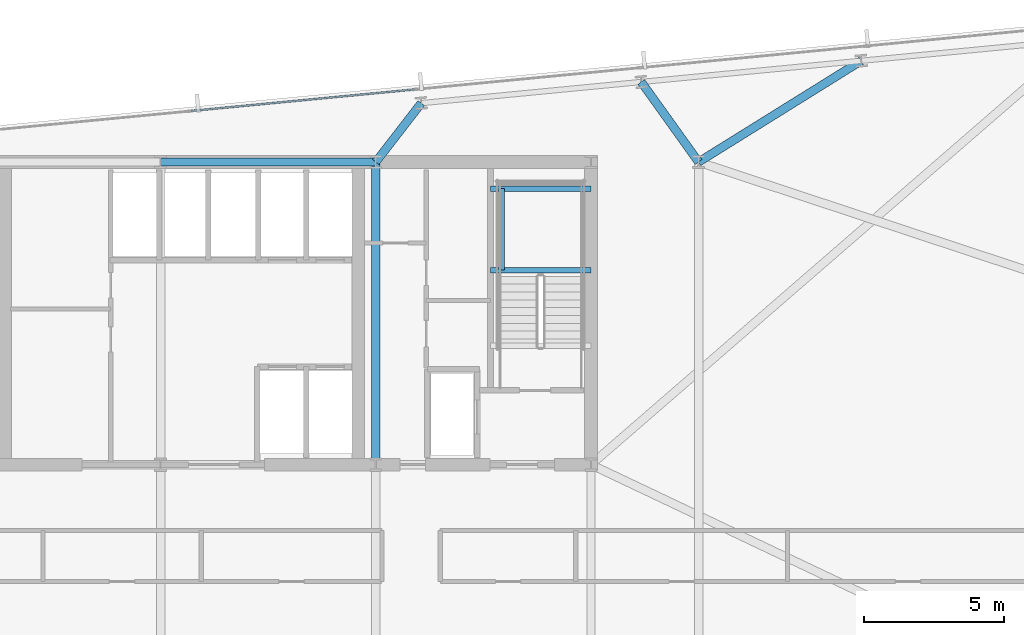
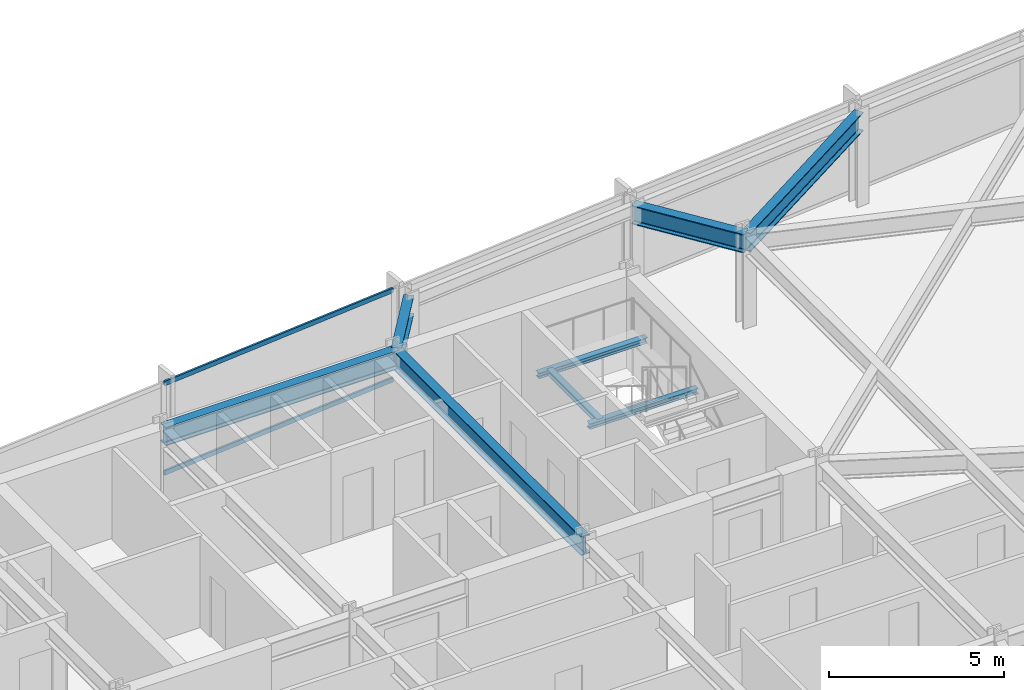
# One storey, part 20 of 32: 8 beams, 2 members, 1 element without a shape of its own.
"""IFC4 building model written with IfcOpenShell, lengths in metres."""

import ifcopenshell
import ifcopenshell.guid

model = None  # the IFC model being written
_history = None  # IfcOwnerHistory: only IFC2X3 demands one
_inside = {}  # id of a spatial element -> (the spatial element, [elements in it])
_under = {}  # id of a project, library or spatial element -> (it, [spatial elements below it])
_declared = {}  # id of a project -> (the project, [libraries it declares])
_typed = {}  # id of a type object -> (the type object, [elements of that type])
_made_of = {}  # id of a material, layer set ... -> (it, [elements and type objects made of it])


def new_model(schema):
    """Start an empty IFC model of exactly this schema.

    Asked for "IFC4X3", IfcOpenShell would pick the latest addendum, in which some entities
    have other attributes; the version numbers below select the first issue.
    IFC2X3 requires an IfcOwnerHistory on every rooted entity: one is made here for all.
    """
    global model, _history
    if schema == "IFC4X3":
        model = ifcopenshell.file(schema_version=(4, 3, 0, 0))
    else:
        model = ifcopenshell.file(schema=schema)
    _inside.clear()
    _under.clear()
    _declared.clear()
    _typed.clear()
    _made_of.clear()
    _history = None
    if model.schema == "IFC2X3":
        org = make("IfcOrganization", Name="unknown")
        user = make(
            "IfcPersonAndOrganization",
            ThePerson=make("IfcPerson", FamilyName="unknown"),
            TheOrganization=org,
        )
        app = make(
            "IfcApplication",
            ApplicationDeveloper=org,
            Version="unknown",
            ApplicationFullName="unknown",
            ApplicationIdentifier="unknown",
        )
        _history = make(
            "IfcOwnerHistory",
            OwningUser=user,
            OwningApplication=app,
            ChangeAction="ADDED",
            CreationDate=0,
        )
    return model


def make(cls, **values):
    """One entity of the class cls with the attributes given. An attribute that is None is left unset."""
    return model.create_entity(
        cls, **{name: value for name, value in values.items() if value is not None}
    )


def rooted(cls, **values):
    """An entity with a GlobalId (a new one), such as an element, a storey or a relation."""
    return make(cls, GlobalId=ifcopenshell.guid.new(), OwnerHistory=_history, **values)


def si_unit(unit_type, name, prefix=None):
    """IfcSIUnit, for example si_unit("LENGTHUNIT", "METRE", prefix="MILLI")."""
    return make("IfcSIUnit", UnitType=unit_type, Prefix=prefix, Name=name)


def assignment(units):
    """IfcUnitAssignment: the units of a project."""
    return None if units is None else make("IfcUnitAssignment", Units=units)


def point(xyz):
    """IfcCartesianPoint."""
    return None if xyz is None else make("IfcCartesianPoint", Coordinates=xyz)


def direction(xyz):
    """IfcDirection."""
    return None if xyz is None else make("IfcDirection", DirectionRatios=xyz)


def frame(location, z_axis=None, x_axis=None):
    """IfcAxis2Placement3D, a coordinate frame: its origin and axes. An axis left out is left unset."""
    return make(
        "IfcAxis2Placement3D",
        Location=point(location),
        Axis=direction(z_axis),
        RefDirection=direction(x_axis),
    )


def frame_2d(location, x_axis=None):
    """IfcAxis2Placement2D, a coordinate frame in the plane: its origin and x axis."""
    return make(
        "IfcAxis2Placement2D", Location=point(location), RefDirection=direction(x_axis)
    )


def origin():
    """The frame at (0, 0, 0) with its axes left unset."""
    return frame((0.0, 0.0, 0.0))


def origin_2d():
    """The frame at (0, 0) in the plane with its x axis left unset."""
    return frame_2d((0.0, 0.0))


def place(relative_to, where):
    """IfcLocalPlacement: puts the frame where relative to a parent placement (None: the world)."""
    return make(
        "IfcLocalPlacement", PlacementRelTo=relative_to, RelativePlacement=where
    )


def context(
    kind, dimensions, precision=None, world=None, true_north=None, identifier=None
):
    """IfcGeometricRepresentationContext, for example the 3D "Model" context."""
    return make(
        "IfcGeometricRepresentationContext",
        ContextIdentifier=identifier,
        ContextType=kind,
        CoordinateSpaceDimension=dimensions,
        Precision=precision,
        WorldCoordinateSystem=world,
        TrueNorth=true_north,
    )


def subcontext(parent, identifier, kind, view, scale=None):
    """IfcGeometricRepresentationSubContext, for example "Body" below "Model"."""
    return make(
        "IfcGeometricRepresentationSubContext",
        ContextIdentifier=identifier,
        ContextType=kind,
        ParentContext=parent,
        TargetScale=scale,
        TargetView=view,
    )


def project(units=None, contexts=None):
    """IfcProject with its units and contexts."""
    return rooted(
        "IfcProject",
        Name="project",
        RepresentationContexts=contexts,
        UnitsInContext=assignment(units),
    )


def spatial(cls, under=None, at=None, **own):
    """A site, building, storey or space (cls), placed at a placement, below another one or the project."""
    s = rooted(cls, ObjectPlacement=at, **own)
    if under is not None:
        _under.setdefault(under.id(), (under, []))[1].append(s)
    return s


def profile(cls, at=None, kind="AREA", **sizes):
    """A parametric profile (cls). Its sizes go by their IFC names, for example OverallWidth=200.0."""
    return make(cls, ProfileType=kind, Position=at, **sizes)


def hollow_rectangle(**sizes):
    """IfcRectangleHollowProfileDef."""
    return profile("IfcRectangleHollowProfileDef", **sizes)


def i_section(**sizes):
    """IfcIShapeProfileDef."""
    return profile("IfcIShapeProfileDef", **sizes)


def extrude(swept, where, along, depth):
    """IfcExtrudedAreaSolid: the profile swept, set in the frame where, extruded along a direction by depth."""
    return make(
        "IfcExtrudedAreaSolid",
        SweptArea=swept,
        Position=where,
        ExtrudedDirection=direction(along),
        Depth=depth,
    )


def shape(context_of_items, identifier, shape_type, items):
    """IfcShapeRepresentation: the items that make up one representation, for example the "Body"."""
    return make(
        "IfcShapeRepresentation",
        ContextOfItems=context_of_items,
        RepresentationIdentifier=identifier,
        RepresentationType=shape_type,
        Items=items,
    )


def material(Name=None, Category=None):
    """IfcMaterial."""
    return make("IfcMaterial", Name=Name, Category=Category)


def material_profile(
    of_material, cross_section, Name=None, Category=None, Priority=None
):
    """IfcMaterialProfile: a cross section and its material."""
    return make(
        "IfcMaterialProfile",
        Name=Name,
        Material=of_material,
        Profile=cross_section,
        Priority=Priority,
        Category=Category,
    )


def profile_set(profiles, Name=None, composite=None):
    """IfcMaterialProfileSet."""
    return make(
        "IfcMaterialProfileSet",
        Name=Name,
        MaterialProfiles=profiles,
        CompositeProfile=composite,
    )


def made_of(thing, what):
    """Note that an element or type object is made of a material, layer set ...; save() writes the relation."""
    if what is not None:
        _made_of.setdefault(what.id(), (what, []))[1].append(thing)
    return thing


def type_object(cls, material=None, **own):
    """A type object (cls), such as IfcWallType, which elements share."""
    return made_of(rooted(cls, **own), material)


def element(
    cls,
    number,
    at=None,
    inside=None,
    cuts=None,
    type_object=None,
    material=None,
    context=None,
    identifier="Body",
    shape_type=None,
    held_by="IfcProductDefinitionShape",
    body=None,
    shapes=None,
    **own,
):
    """One element of the class cls, such as IfcWall. Its Tag is "e" and its number.

    at: its placement. inside: the storey or other place that contains it. cuts: it is an
    opening in that element (IfcRelVoidsElement). A single representation is given by context,
    identifier, shape_type and body (its items); several are given by shapes. held_by: the class
    of the entity that holds the representations. save() writes the other relations.
    """
    e = rooted(cls, Tag="e%d" % number, ObjectPlacement=at, **own)
    if body is not None:
        shapes = [shape(context, identifier, shape_type, body)]
    if shapes is not None:
        e.Representation = make(held_by, Representations=shapes)
    if inside is not None:
        _inside.setdefault(inside.id(), (inside, []))[1].append(e)
    if cuts is not None:
        rooted(
            "IfcRelVoidsElement", RelatingBuildingElement=cuts, RelatedOpeningElement=e
        )
    if type_object is not None:
        _typed.setdefault(type_object.id(), (type_object, []))[1].append(e)
    return made_of(e, material)


def aggregate(whole, parts):
    """IfcRelAggregates: a whole, such as a stair, and the parts it consists of."""
    return rooted("IfcRelAggregates", RelatingObject=whole, RelatedObjects=parts)


def save(model, path):
    """Write the relations noted so far, then the file.

    IfcRelAggregates (storeys below a building ...), IfcRelContainedInSpatialStructure (elements
    in a storey), IfcRelDefinesByType, IfcRelAssociatesMaterial and IfcRelDeclares: one each for
    every whole, place, type object, material and project.
    """
    for whole, parts in _under.values():
        aggregate(whole, parts)
    for where, things in _inside.values():
        rooted(
            "IfcRelContainedInSpatialStructure",
            RelatedElements=things,
            RelatingStructure=where,
        )
    for kind, things in _typed.values():
        rooted("IfcRelDefinesByType", RelatedObjects=things, RelatingType=kind)
    for what, things in _made_of.values():
        rooted("IfcRelAssociatesMaterial", RelatedObjects=things, RelatingMaterial=what)
    for by, libraries in _declared.values():
        rooted("IfcRelDeclares", RelatingContext=by, RelatedDefinitions=libraries)
    model.write(path)


model = new_model("IFC4")

# Units and contexts
model_context = context("Model", 3, precision=1e-05, world=origin(), true_north=direction((0.0, 1.0)))
body_context = subcontext(model_context, "Body", "Model", "MODEL_VIEW")
ifc_project = project(units=[si_unit("LENGTHUNIT", "METRE"), si_unit("AREAUNIT", "SQUARE_METRE"), si_unit("VOLUMEUNIT", "CUBIC_METRE"), si_unit("PLANEANGLEUNIT", "RADIAN"), si_unit("MASSUNIT", "GRAM", prefix="KILO")], contexts=[model_context])

# Site, building, storey
site_placement = place(None, origin())
site = spatial("IfcSite", under=ifc_project, at=site_placement, CompositionType="ELEMENT")
building_placement = place(site_placement, origin())
building = spatial("IfcBuilding", under=site, at=building_placement, Name="Yelkora Congress Tower", CompositionType="ELEMENT")
storey_placement = place(building_placement, frame((0.0, 0.0, 116.89990234375)))
storey = spatial("IfcBuildingStorey", under=building, at=storey_placement, Name="L31", CompositionType="ELEMENT", Elevation=116.89990234375)

# Beams
ifc_material_1 = material(Name="Steel S355J2", Category="steel")
ifc_material_profile_1 = material_profile(ifc_material_1, i_section(OverallWidth=0.300048828125, OverallDepth=0.64990234375, WebThickness=0.01611328125, FlangeThickness=0.031005859375, FilletRadius=0.027099609375, at=origin_2d()), Name="HEB 650")
ifc_profile_set_1 = profile_set([ifc_material_profile_1], Name="Steel S355J2")
beam_type_1 = type_object("IfcBeamType", Name="BM-GIRD-HEB650", PredefinedType="BEAM", material=ifc_profile_set_1)
beam_1_placement = place(storey_placement, frame((38.39990234375, 46.199951171875, 2.85498046875), z_axis=(1.0, 0.0, 0.0), x_axis=(0.0, 1.0, 0.0)))
element("IfcBeam", 1, at=beam_1_placement, inside=storey, type_object=beam_type_1, Name="L31 Core North Girder 4", PredefinedType="BEAM", context=body_context, shape_type="SweptSolid", body=[
    extrude(i_section(OverallWidth=0.300048828125, OverallDepth=0.64990234375, WebThickness=0.01611328125, FlangeThickness=0.031005859375, FilletRadius=0.027099609375, at=origin_2d()), origin(), (0.0, 0.0, 1.0), 7.68017578125),
])
beam_2_placement = place(storey_placement, frame((46.080078125, 35.39990234375, 2.85498046875), z_axis=(0.0, 1.0, 0.0), x_axis=(-1.0, 0.0, 0.0)))
element("IfcBeam", 2, at=beam_2_placement, inside=storey, type_object=beam_type_1, Name="L31 Core Tie Girder MC-S4", PredefinedType="BEAM", context=body_context, shape_type="SweptSolid", body=[
    extrude(i_section(OverallWidth=0.300048828125, OverallDepth=0.64990234375, WebThickness=0.01611328125, FlangeThickness=0.031005859375, FilletRadius=0.027099609375, at=origin_2d()), origin(), (0.0, 0.0, 1.0), 10.800048828125),
])
beam_3_placement = place(storey_placement, frame((47.70458984375, 48.300537109375, 2.85498046875), z_axis=(-0.611761448665, -0.791042306029, 0.0), x_axis=(0.791042306029, -0.611761448665, 0.0)))
element("IfcBeam", 3, at=beam_3_placement, inside=storey, type_object=beam_type_1, Name="L31 Primary Frame Girder N05", PredefinedType="BEAM", context=body_context, shape_type="SweptSolid", body=[
    extrude(i_section(OverallWidth=0.300048828125, OverallDepth=0.64990234375, WebThickness=0.01611328125, FlangeThickness=0.031005859375, FilletRadius=0.027099609375, at=origin_2d()), origin(), (0.0, 0.0, 1.0), 2.655517578125),
])
beam_4_placement = place(storey_placement, frame((55.553955078125, 49.056396484375, 2.85498046875), z_axis=(0.582335305303, -0.81294870207, 0.0), x_axis=(0.81294870207, 0.582335305303, 0.0)))
element("IfcBeam", 4, at=beam_4_placement, inside=storey, type_object=beam_type_1, Name="L31 Primary Frame Girder N06", PredefinedType="BEAM", context=body_context, shape_type="SweptSolid", body=[
    extrude(i_section(OverallWidth=0.300048828125, OverallDepth=0.64990234375, WebThickness=0.01611328125, FlangeThickness=0.031005859375, FilletRadius=0.027099609375, at=origin_2d()), origin(), (0.0, 0.0, 1.0), 3.513671875),
])
beam_5_placement = place(storey_placement, frame((63.4033203125, 49.81201171875, 2.85498046875), z_axis=(-0.848980050527, -0.528424898929, 0.0), x_axis=(0.528424898929, -0.848980050527, 0.0)))
element("IfcBeam", 5, at=beam_5_placement, inside=storey, type_object=beam_type_1, Name="L31 Primary Frame Girder N07", PredefinedType="BEAM", context=body_context, shape_type="SweptSolid", body=[
    extrude(i_section(OverallWidth=0.300048828125, OverallDepth=0.64990234375, WebThickness=0.01611328125, FlangeThickness=0.031005859375, FilletRadius=0.027099609375, at=origin_2d()), origin(), (0.0, 0.0, 1.0), 6.83544921875),
])
ifc_material_profile_2 = material_profile(ifc_material_1, i_section(OverallWidth=0.199951171875, OverallDepth=0.18994140625, WebThickness=0.006591796875, FlangeThickness=0.010009765625, FilletRadius=0.01806640625, at=origin_2d()), Name="HEA 200")
ifc_profile_set_2 = profile_set([ifc_material_profile_2], Name="Steel S355J2")
beam_type_2 = type_object("IfcBeamType", Name="BM-LAND-HEA200", PredefinedType="BEAM", material=ifc_profile_set_2)
for number, where, z_axis, x_axis, name in (
    (6, (50.179931640625, 42.340087890625, 1.384765625), (1.0, 0.0, 0.0), (0.0, 1.0, 0.0), "ST-02 L31 Landing Header Beam 1S"),
    (7, (50.179931640625, 45.25, 1.384765625), (1.0, 0.0, 0.0), (0.0, 1.0, 0.0), "ST-02 L31 Landing Header Beam 1N"),
):
    element("IfcBeam", number, at=place(storey_placement, frame(where, z_axis=z_axis, x_axis=x_axis)), inside=storey, type_object=beam_type_2, Name=name, PredefinedType="BEAM", context=body_context, shape_type="SweptSolid", body=[
        extrude(i_section(OverallWidth=0.199951171875, OverallDepth=0.18994140625, WebThickness=0.006591796875, FlangeThickness=0.010009765625, FilletRadius=0.01806640625, at=origin_2d()), origin(), (0.0, 0.0, 1.0), 3.580078125),
    ])
beam_6_placement = place(storey_placement, frame((50.580078125, 42.340087890625, 1.384765625), z_axis=(0.0, 1.0, 0.0), x_axis=(-1.0, 0.0, 0.0)))
element("IfcBeam", 8, at=beam_6_placement, inside=storey, type_object=beam_type_2, Name="ST-02 L31 Landing Trimmer Beam 1M", PredefinedType="BEAM", context=body_context, shape_type="SweptSolid", body=[
    extrude(i_section(OverallWidth=0.199951171875, OverallDepth=0.18994140625, WebThickness=0.006591796875, FlangeThickness=0.010009765625, FilletRadius=0.01806640625, at=origin_2d()), origin(), (0.0, 0.0, 1.0), 2.909912109375),
])

# Curtain wall, members
ifc_material_2 = material(Name="Anodised aluminium and insulated glass", Category="aluminium")
curtain_wall_type = type_object("IfcCurtainWallType", Name="CW-SYS-B2", PredefinedType="NOTDEFINED", material=ifc_material_2)
curtain_wall_placement = place(storey_placement, origin())
curtain_wall = element("IfcCurtainWall", 9, at=curtain_wall_placement, inside=storey, type_object=curtain_wall_type, Name="L31 Unitised Curtain Wall 10 (3)", PredefinedType="NOTDEFINED")
ifc_material_3 = material(Name="Anodised aluminium 6063-T6", Category="aluminium")
ifc_material_profile_3 = material_profile(ifc_material_3, hollow_rectangle(XDim=0.06494140625, YDim=0.159912109375, WallThickness=0.00390625, at=origin_2d()), Name="ALU 65x160x4")
ifc_profile_set_3 = profile_set([ifc_material_profile_3], Name="Anodised aluminium 6063-T6")
member_type = type_object("IfcMemberType", Name="MEM-TR-B2", PredefinedType="USERDEFINED", material=ifc_profile_set_3)
member_1_placement = place(storey_placement, frame((39.48681640625, 48.021728515625, 0.03271484375), z_axis=(0.995397513894, 0.095832089266, 0.0), x_axis=(-0.095832089266, 0.995397513894, 0.0)))
member_1 = element("IfcMember", 10, at=member_1_placement, type_object=member_type, Name="CW-B2 transom 3.1", ObjectType="TRANSOM", PredefinedType="USERDEFINED", context=body_context, shape_type="SweptSolid", body=[
    extrude(hollow_rectangle(XDim=0.06494140625, YDim=0.159912109375, WallThickness=0.00390625, at=origin_2d()), origin(), (0.0, 0.0, 1.0), 8.007080078125),
])
member_2_placement = place(storey_placement, frame((39.48681640625, 48.021728515625, 3.147705078125), z_axis=(0.995397513894, 0.095832089266, 0.0), x_axis=(-0.095832089266, 0.995397513894, 0.0)))
member_2 = element("IfcMember", 11, at=member_2_placement, type_object=member_type, Name="CW-B2 transom 3.2", ObjectType="TRANSOM", PredefinedType="USERDEFINED", context=body_context, shape_type="SweptSolid", body=[
    extrude(hollow_rectangle(XDim=0.06494140625, YDim=0.159912109375, WallThickness=0.00390625, at=origin_2d()), origin(), (0.0, 0.0, 1.0), 8.007080078125),
])
aggregate(curtain_wall, [member_1, member_2])

save(model, "model.ifc")
